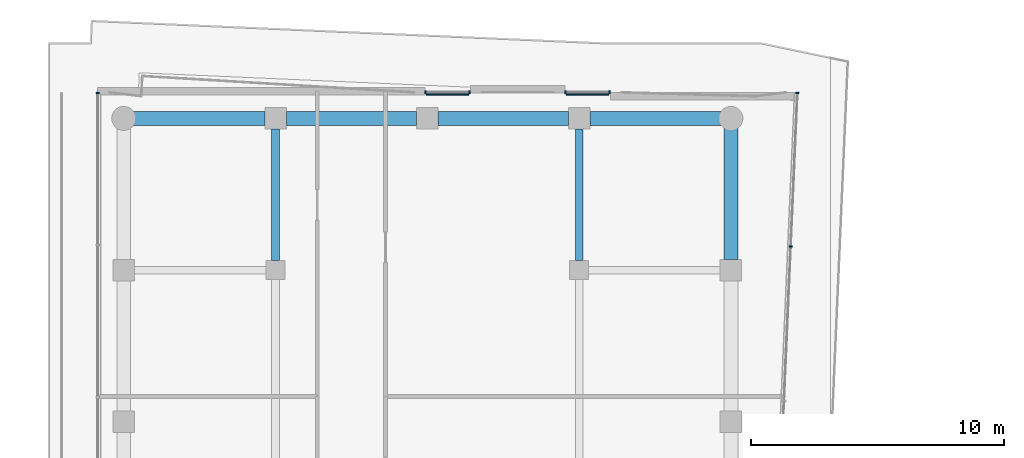
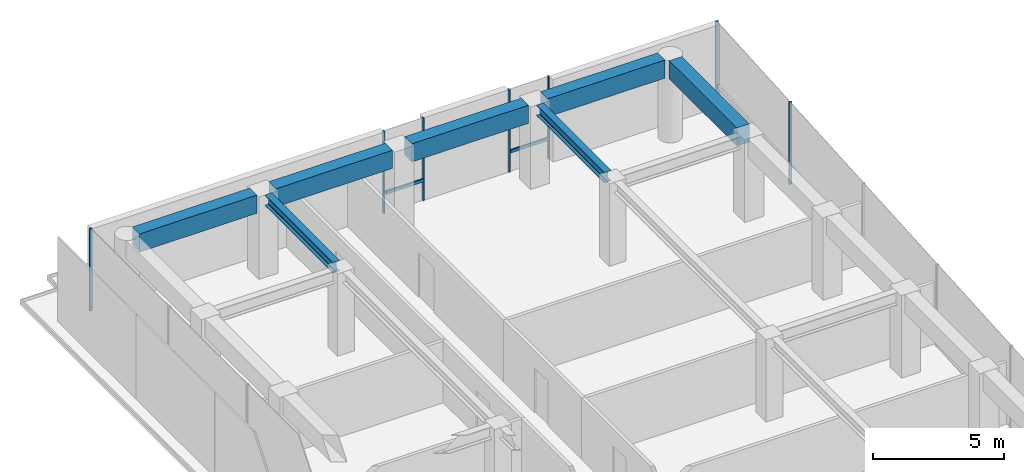
# One storey, part 15 of 21: 9 members, 7 beams, 4 elements without a shape of their own.
"""IFC4 building model written with IfcOpenShell, lengths in metres."""

from ifc_helpers import new_model, si_unit, direction, frame, origin, origin_2d, place, context, subcontext, project, spatial, rectangle, i_section, extrude, material, layer, layer_set, material_profile, profile_set, type_object, element, aggregate, save


model = new_model("IFC4")

# Units and contexts
model_context = context("Model", 3, precision=1e-05, world=origin(), true_north=direction((0.0, 1.0)))
body_context = subcontext(model_context, "Body", "Model", "MODEL_VIEW")
ifc_project = project(units=[si_unit("LENGTHUNIT", "METRE"), si_unit("AREAUNIT", "SQUARE_METRE"), si_unit("VOLUMEUNIT", "CUBIC_METRE"), si_unit("PLANEANGLEUNIT", "RADIAN"), si_unit("MASSUNIT", "GRAM", prefix="KILO")], contexts=[model_context])

# Site, building, storey
site_placement = place(None, origin())
site = spatial("IfcSite", under=ifc_project, at=site_placement, CompositionType="ELEMENT")
building_placement = place(site_placement, origin())
building = spatial("IfcBuilding", under=site, at=building_placement, Name="Welwitschia Terrace Campus", CompositionType="ELEMENT")
storey_placement = place(building_placement, frame((0.0, 0.0, 159.199951171875)))
storey = spatial("IfcBuildingStorey", under=building, at=storey_placement, Name="L35", CompositionType="ELEMENT", Elevation=159.199951171875)

# Beams
ifc_material_1 = material(Name="Steel S355", Category="steel")
ifc_material_profile_1 = material_profile(ifc_material_1, i_section(OverallWidth=0.300048828125, OverallDepth=0.489990234375, WebThickness=0.011962890625, FlangeThickness=0.02294921875, FilletRadius=0.027099609375, at=origin_2d()))
ifc_profile_set_1 = profile_set([ifc_material_profile_1], Name="Steel S355")
beam_type_1 = type_object("IfcBeamType", Name="Interior girder HE 500 A", PredefinedType="BEAM", material=ifc_profile_set_1)
for number, where, z_axis, x_axis, name in (
    (1, (6.0, 56.37548828125, 3.60498046875), (0.0, 1.0, 0.0), (-1.0, 0.0, 0.0), "Girder GB4"),
    (2, (18.0, 56.37548828125, 3.60498046875), (0.0, 1.0, 0.0), (-1.0, 0.0, 0.0), "Girder GB4"),
):
    element("IfcBeam", number, at=place(storey_placement, frame(where, z_axis=z_axis, x_axis=x_axis)), inside=storey, type_object=beam_type_1, Name=name, PredefinedType="BEAM", context=body_context, shape_type="SweptSolid", body=[
        extrude(i_section(OverallWidth=0.300048828125, OverallDepth=0.489990234375, WebThickness=0.011962890625, FlangeThickness=0.02294921875, FilletRadius=0.027099609375, at=origin_2d()), origin(), (0.0, 0.0, 1.0), 5.208984375),
    ])

# Curtain wall, members
ifc_material_2 = material(Name="Bronze anodised aluminium", Category="aluminium")
ifc_layer = layer(ifc_material_2, 0.1201171875)
ifc_layer_set = layer_set([ifc_layer], Name="Bronze anodised aluminium")
curtain_wall_type = type_object("IfcCurtainWallType", Name="Curtain wall CW2 tower 6000", PredefinedType="NOTDEFINED", material=ifc_layer_set)
curtain_wall_1_placement = place(storey_placement, origin())
curtain_wall_1 = element("IfcCurtainWall", 3, at=curtain_wall_1_placement, inside=storey, type_object=curtain_wall_type, Name="CW L35.9.0", PredefinedType="NOTDEFINED")
ifc_material_3 = material(Name="Bronze anodised aluminium", Category="aluminium")
ifc_material_profile_2 = material_profile(ifc_material_3, rectangle(XDim=0.1201171875, YDim=0.06005859375, at=origin_2d()))
ifc_profile_set_2 = profile_set([ifc_material_profile_2], Name="Bronze anodised aluminium")
member_type_1 = type_object("IfcMemberType", Name="Mullion 60x120", PredefinedType="MULLION", material=ifc_profile_set_2)
member_1_placement = place(storey_placement, frame((26.3671875, 56.928466796875, 0.0), z_axis=(0.0, 0.0, 1.0), x_axis=(-0.999048221582, 0.043619387365, 0.0)))
member_1 = element("IfcMember", 4, at=member_1_placement, type_object=member_type_1, Name="Mullion L35.9.0.5", PredefinedType="MULLION", context=body_context, shape_type="SweptSolid", body=[
    extrude(rectangle(XDim=0.1201171875, YDim=0.06005859375, at=origin_2d()), origin(), (0.0, 0.0, 1.0), 3.85009765625),
])
member_2_placement = place(storey_placement, frame((26.63232421875, 63.0, 0.0), z_axis=(0.0, 0.0, 1.0), x_axis=(-0.999048221582, 0.043619387365, 0.0)))
member_2 = element("IfcMember", 5, at=member_2_placement, type_object=member_type_1, Name="Mullion L35.9.0.6", PredefinedType="MULLION", context=body_context, shape_type="SweptSolid", body=[
    extrude(rectangle(XDim=0.1201171875, YDim=0.06005859375, at=origin_2d()), origin(), (0.0, 0.0, 1.0), 3.85009765625),
])
aggregate(curtain_wall_1, [member_1, member_2])

curtain_wall_2_placement = place(storey_placement, origin())
curtain_wall_2 = element("IfcCurtainWall", 6, at=curtain_wall_2_placement, inside=storey, type_object=curtain_wall_type, Name="CW L35.10.S0", PredefinedType="NOTDEFINED")
member_3_placement = place(storey_placement, frame((19.20458984375, 63.030029296875, 0.0), z_axis=(0.0, 0.0, 1.0), x_axis=(0.0, -1.0, 0.0)))
member_3 = element("IfcMember", 7, at=member_3_placement, type_object=member_type_1, Name="Mullion L35.10.S0.0", PredefinedType="MULLION", context=body_context, shape_type="SweptSolid", body=[
    extrude(rectangle(XDim=0.1201171875, YDim=0.06005859375, at=origin_2d()), origin(), (0.0, 0.0, 1.0), 3.85009765625),
])
member_4_placement = place(storey_placement, frame((17.464599609375, 63.030029296875, 0.0), z_axis=(0.0, 0.0, 1.0), x_axis=(0.0, -1.0, 0.0)))
member_4 = element("IfcMember", 8, at=member_4_placement, type_object=member_type_1, Name="Mullion L35.10.S0.1", PredefinedType="MULLION", context=body_context, shape_type="SweptSolid", body=[
    extrude(rectangle(XDim=0.1201171875, YDim=0.06005859375, at=origin_2d()), origin(), (0.0, 0.0, 1.0), 3.85009765625),
])

curtain_wall_3_placement = place(storey_placement, origin())
curtain_wall_3 = element("IfcCurtainWall", 9, at=curtain_wall_3_placement, inside=storey, type_object=curtain_wall_type, Name="CW L35.10.S1", PredefinedType="NOTDEFINED")
member_5_placement = place(storey_placement, frame((13.671875, 63.030029296875, 0.0), z_axis=(0.0, 0.0, 1.0), x_axis=(0.0, -1.0, 0.0)))
member_5 = element("IfcMember", 10, at=member_5_placement, type_object=member_type_1, Name="Mullion L35.10.S1.0", PredefinedType="MULLION", context=body_context, shape_type="SweptSolid", body=[
    extrude(rectangle(XDim=0.1201171875, YDim=0.06005859375, at=origin_2d()), origin(), (0.0, 0.0, 1.0), 3.85009765625),
])
member_6_placement = place(storey_placement, frame((11.931884765625, 63.030029296875, 0.0), z_axis=(0.0, 0.0, 1.0), x_axis=(0.0, -1.0, 0.0)))
member_6 = element("IfcMember", 11, at=member_6_placement, type_object=member_type_1, Name="Mullion L35.10.S1.1", PredefinedType="MULLION", context=body_context, shape_type="SweptSolid", body=[
    extrude(rectangle(XDim=0.1201171875, YDim=0.06005859375, at=origin_2d()), origin(), (0.0, 0.0, 1.0), 3.85009765625),
])

# Curtain wall, member
curtain_wall_4_placement = place(storey_placement, origin())
curtain_wall_4 = element("IfcCurtainWall", 12, at=curtain_wall_4_placement, inside=storey, type_object=curtain_wall_type, Name="CW L35.11.0", PredefinedType="NOTDEFINED")
member_7_placement = place(storey_placement, frame((-1.030029296875, 63.0, 0.0), z_axis=(0.0, 0.0, 1.0), x_axis=(1.0, 0.0, 0.0)))
member_7 = element("IfcMember", 13, at=member_7_placement, type_object=member_type_1, Name="Mullion L35.11.0.0", PredefinedType="MULLION", context=body_context, shape_type="SweptSolid", body=[
    extrude(rectangle(XDim=0.1201171875, YDim=0.06005859375, at=origin_2d()), origin(), (0.0, 0.0, 1.0), 3.85009765625),
])
aggregate(curtain_wall_4, [member_7])

# Beams
ifc_material_4 = material(Name="Concrete C50/60", Category="concrete")
ifc_material_profile_3 = material_profile(ifc_material_4, rectangle(XDim=0.550048828125, YDim=0.85009765625, at=origin_2d()))
ifc_profile_set_3 = profile_set([ifc_material_profile_3], Name="Concrete C50/60")
beam_type_2 = type_object("IfcBeamType", Name="Ring spandrel 550x850", PredefinedType="SPANDREL", material=ifc_profile_set_3)
for number, where, z_axis, x_axis, name in (
    (14, (24.0, 56.425537109375, 3.425048828125), (0.0, 1.0, 0.0), (-1.0, 0.0, 0.0), "Spandrel SP3"),
    (15, (23.612060546875, 62.0, 3.425048828125), (-1.0, 0.0, 0.0), (0.0, -1.0, 0.0), "Spandrel SP3"),
):
    element("IfcBeam", number, at=place(storey_placement, frame(where, z_axis=z_axis, x_axis=x_axis)), inside=storey, type_object=beam_type_2, Name=name, PredefinedType="SPANDREL", context=body_context, shape_type="SweptSolid", body=[
        extrude(rectangle(XDim=0.550048828125, YDim=0.85009765625, at=origin_2d()), origin(), (0.0, 0.0, 1.0), 5.1865234375),
    ])
for number, where, z_axis, x_axis, name in (
    (16, (17.574462890625, 62.0, 3.425048828125), (-1.0, 0.0, 0.0), (0.0, -1.0, 0.0), "Spandrel SP3"),
    (17, (11.574462890625, 62.0, 3.425048828125), (-1.0, 0.0, 0.0), (0.0, -1.0, 0.0), "Spandrel SP3"),
):
    element("IfcBeam", number, at=place(storey_placement, frame(where, z_axis=z_axis, x_axis=x_axis)), inside=storey, type_object=beam_type_2, Name=name, PredefinedType="SPANDREL", context=body_context, shape_type="SweptSolid", body=[
        extrude(rectangle(XDim=0.550048828125, YDim=0.85009765625, at=origin_2d()), origin(), (0.0, 0.0, 1.0), 5.14892578125),
    ])
beam_placement = place(storey_placement, frame((5.574462890625, 62.0, 3.425048828125), z_axis=(-1.0, 0.0, 0.0), x_axis=(0.0, -1.0, 0.0)))
element("IfcBeam", 18, at=beam_placement, inside=storey, type_object=beam_type_2, Name="Spandrel SP3", PredefinedType="SPANDREL", context=body_context, shape_type="SweptSolid", body=[
    extrude(rectangle(XDim=0.550048828125, YDim=0.85009765625, at=origin_2d()), origin(), (0.0, 0.0, 1.0), 5.1865234375),
])

# Member
ifc_material_5 = material(Name="Bronze anodised aluminium", Category="aluminium")
ifc_material_profile_4 = material_profile(ifc_material_5, rectangle(XDim=0.06005859375, YDim=0.14990234375, at=origin_2d()))
ifc_profile_set_4 = profile_set([ifc_material_profile_4], Name="Bronze anodised aluminium")
member_type_2 = type_object("IfcMemberType", Name="Transom 60x150", PredefinedType="USERDEFINED", material=ifc_profile_set_4)
member_8_placement = place(storey_placement, frame((19.174560546875, 62.93994140625, 1.0), z_axis=(-1.0, 0.0, 0.0), x_axis=(0.0, -1.0, 0.0)))
member_8 = element("IfcMember", 19, at=member_8_placement, type_object=member_type_2, Name="Transom L35.10.S0", ObjectType="TRANSOM", PredefinedType="USERDEFINED", context=body_context, shape_type="SweptSolid", body=[
    extrude(rectangle(XDim=0.06005859375, YDim=0.14990234375, at=origin_2d()), origin(), (0.0, 0.0, 1.0), 1.679931640625),
])

aggregate(curtain_wall_2, [member_3, member_4, member_8])

member_9_placement = place(storey_placement, frame((13.641845703125, 62.93994140625, 1.0), z_axis=(-1.0, 0.0, 0.0), x_axis=(0.0, -1.0, 0.0)))
member_9 = element("IfcMember", 20, at=member_9_placement, type_object=member_type_2, Name="Transom L35.10.S1", ObjectType="TRANSOM", PredefinedType="USERDEFINED", context=body_context, shape_type="SweptSolid", body=[
    extrude(rectangle(XDim=0.06005859375, YDim=0.14990234375, at=origin_2d()), origin(), (0.0, 0.0, 1.0), 1.679931640625),
])

aggregate(curtain_wall_3, [member_5, member_6, member_9])

save(model, "model.ifc")
